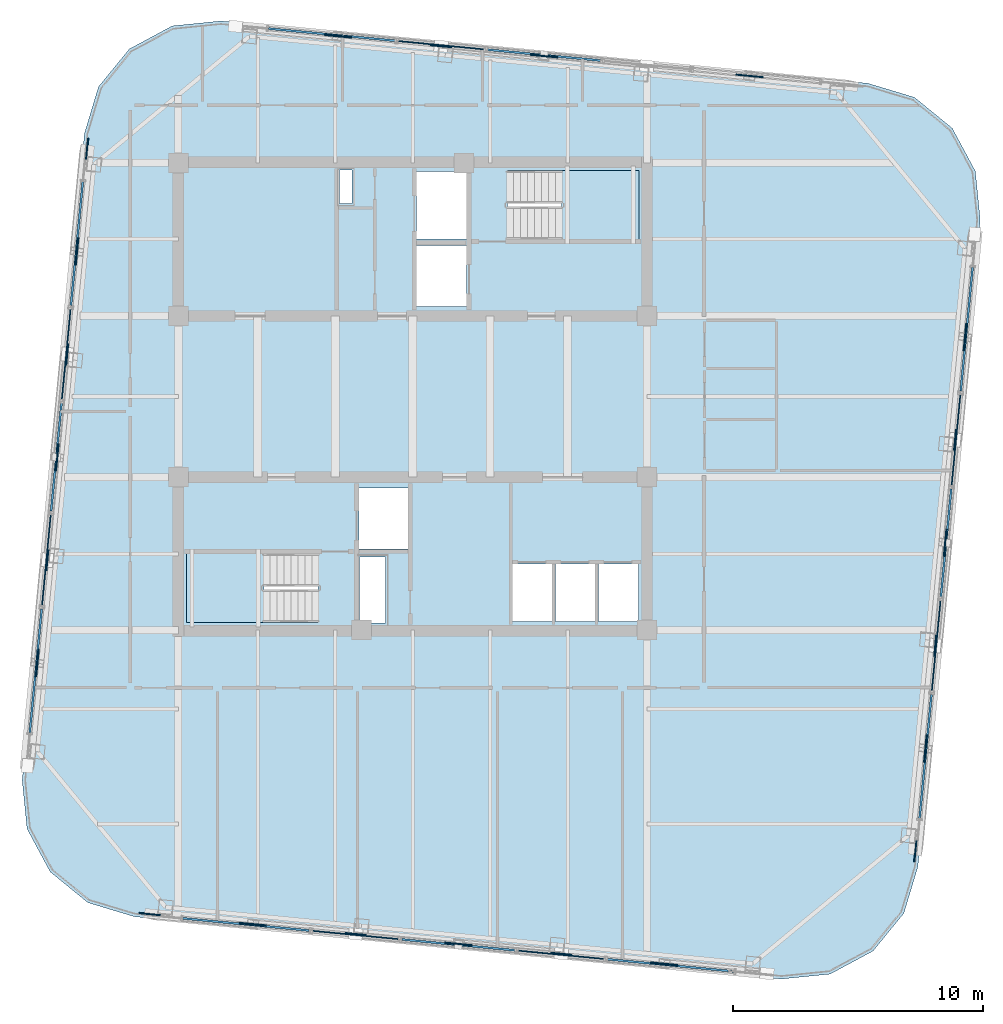
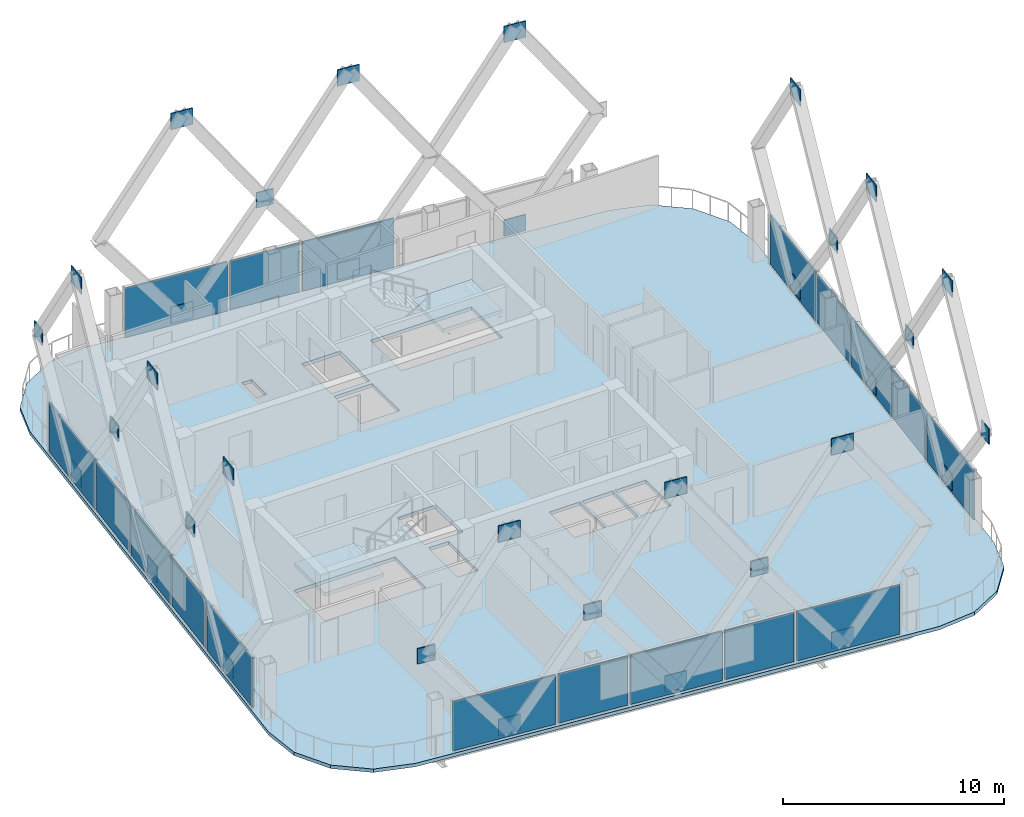
# One storey, part 18 of 25: 52 plates, 3 slabs, 20 elements without a shape of their own.
"""IFC4 building model written with IfcOpenShell, lengths in metres."""

from ifc_helpers import new_model, si_unit, direction, frame, origin, origin_2d, place, context, subcontext, project, spatial, polyline, rectangle, outline, extrude, material, layer, layer_set, type_object, element, aggregate, save


model = new_model("IFC4")

# Units and contexts
model_context = context("Model", 3, precision=1e-05, world=origin(), true_north=direction((0.0, 1.0)))
body_context = subcontext(model_context, "Body", "Model", "MODEL_VIEW")
ifc_project = project(units=[si_unit("LENGTHUNIT", "METRE"), si_unit("AREAUNIT", "SQUARE_METRE"), si_unit("VOLUMEUNIT", "CUBIC_METRE"), si_unit("PLANEANGLEUNIT", "RADIAN"), si_unit("MASSUNIT", "GRAM", prefix="KILO")], contexts=[model_context])

# Site, building, storey
site_placement = place(None, origin())
site = spatial("IfcSite", under=ifc_project, at=site_placement, CompositionType="ELEMENT")
building_placement = place(site_placement, origin())
building = spatial("IfcBuilding", under=site, at=building_placement, Name="Qhalaya Broadcast Tower", CompositionType="ELEMENT")
storey_placement = place(building_placement, frame((0.0, 0.0, 255.050048828125)))
storey = spatial("IfcBuildingStorey", under=building, at=storey_placement, Name="L75", CompositionType="ELEMENT", Elevation=255.050048828125)

# Plates
ifc_material_1 = material(Name="Structural Steel ASTM A572 Grade 50", Category="steel")
ifc_layer_1 = layer(ifc_material_1, 0.054931640625, Name="Structural Steel ASTM A572 Grade 50")
ifc_layer_set_1 = layer_set([ifc_layer_1], Name="Structural Steel ASTM A572 Grade 50")
plate_type_1 = type_object("IfcPlateType", Name="Exoskeleton Diamond Node Gusset Plate NP-01", PredefinedType="USERDEFINED", material=ifc_layer_set_1)
for number, where, z_axis, x_axis, name in (
    (1, (-6.3984375, -20.505615234375, 0.2099609375), (0.0, 0.0, 1.0), (0.995396198367, -0.09584575252, 0.0), "Exoskeleton Diamond Node B6-S1-BOT"),
    (2, (-6.3984375, -20.505615234375, 10.8798828125), (0.0, 0.0, 1.0), (0.995396198367, -0.09584575252, 0.0), "Exoskeleton Diamond Node B6-S1-TOP"),
):
    element("IfcPlate", number, at=place(storey_placement, frame(where, z_axis=z_axis, x_axis=x_axis)), inside=storey, type_object=plate_type_1, Name=name, ObjectType="GUSSET_PLATE", PredefinedType="USERDEFINED", context=body_context, shape_type="SweptSolid", body=[
        extrude(rectangle(XDim=1.10009765625, YDim=0.054931640625, at=origin_2d()), origin(), (0.0, 0.0, 1.0), 0.89990234375),
    ])
plate_1_placement = place(storey_placement, frame((-10.5126953125, -20.109375, 5.329833984375), z_axis=(0.0, 0.0, 1.0), x_axis=(0.995396198367, -0.09584575252, 0.0)))
element("IfcPlate", 3, at=plate_1_placement, inside=storey, type_object=plate_type_1, Name="Exoskeleton Diamond Node B6-S1-MDL", ObjectType="GUSSET_PLATE", PredefinedType="USERDEFINED", context=body_context, shape_type="SweptSolid", body=[
    extrude(rectangle(XDim=0.85009765625, YDim=0.054931640625, at=origin_2d()), origin(), (0.0, 0.0, 1.0), 0.85009765625),
])
for number, where, z_axis, x_axis, name in (
    (4, (1.830078125, -21.2978515625, 0.2099609375), (0.0, 0.0, 1.0), (0.995396198367, -0.09584575252, 0.0), "Exoskeleton Diamond Node B6-S2-BOT"),
    (5, (1.830078125, -21.2978515625, 10.8798828125), (0.0, 0.0, 1.0), (0.995396198367, -0.09584575252, 0.0), "Exoskeleton Diamond Node B6-S2-TOP"),
):
    element("IfcPlate", number, at=place(storey_placement, frame(where, z_axis=z_axis, x_axis=x_axis)), inside=storey, type_object=plate_type_1, Name=name, ObjectType="GUSSET_PLATE", PredefinedType="USERDEFINED", context=body_context, shape_type="SweptSolid", body=[
        extrude(rectangle(XDim=1.10009765625, YDim=0.054931640625, at=origin_2d()), origin(), (0.0, 0.0, 1.0), 0.89990234375),
    ])
plate_2_placement = place(storey_placement, frame((-2.2841796875, -20.901611328125, 5.329833984375), z_axis=(0.0, 0.0, 1.0), x_axis=(0.995396198367, -0.09584575252, 0.0)))
element("IfcPlate", 6, at=plate_2_placement, inside=storey, type_object=plate_type_1, Name="Exoskeleton Diamond Node B6-S2-MDL", ObjectType="GUSSET_PLATE", PredefinedType="USERDEFINED", context=body_context, shape_type="SweptSolid", body=[
    extrude(rectangle(XDim=0.85009765625, YDim=0.054931640625, at=origin_2d()), origin(), (0.0, 0.0, 1.0), 0.85009765625),
])
for number, where, z_axis, x_axis, name in (
    (7, (10.05859375, -22.090087890625, 0.2099609375), (0.0, 0.0, 1.0), (0.995396198367, -0.09584575252, 0.0), "Exoskeleton Diamond Node B6-S3-BOT"),
    (8, (10.05859375, -22.090087890625, 10.8798828125), (0.0, 0.0, 1.0), (0.995396198367, -0.09584575252, 0.0), "Exoskeleton Diamond Node B6-S3-TOP"),
):
    element("IfcPlate", number, at=place(storey_placement, frame(where, z_axis=z_axis, x_axis=x_axis)), inside=storey, type_object=plate_type_1, Name=name, ObjectType="GUSSET_PLATE", PredefinedType="USERDEFINED", context=body_context, shape_type="SweptSolid", body=[
        extrude(rectangle(XDim=1.10009765625, YDim=0.054931640625, at=origin_2d()), origin(), (0.0, 0.0, 1.0), 0.89990234375),
    ])
plate_3_placement = place(storey_placement, frame((5.9443359375, -21.694091796875, 5.329833984375), z_axis=(0.0, 0.0, 1.0), x_axis=(0.995396198367, -0.09584575252, 0.0)))
element("IfcPlate", 9, at=plate_3_placement, inside=storey, type_object=plate_type_1, Name="Exoskeleton Diamond Node B6-S3-MDL", ObjectType="GUSSET_PLATE", PredefinedType="USERDEFINED", context=body_context, shape_type="SweptSolid", body=[
    extrude(rectangle(XDim=0.85009765625, YDim=0.054931640625, at=origin_2d()), origin(), (0.0, 0.0, 1.0), 0.85009765625),
])
for number, where, z_axis, x_axis, name in (
    (10, (20.505615234375, -13.478515625, 0.2099609375), (0.0, 0.0, 1.0), (0.09584575252, 0.995396198367, 0.0), "Exoskeleton Diamond Node B6-E1-BOT"),
    (11, (20.505615234375, -13.478515625, 10.8798828125), (0.0, 0.0, 1.0), (0.09584575252, 0.995396198367, 0.0), "Exoskeleton Diamond Node B6-E1-TOP"),
):
    element("IfcPlate", number, at=place(storey_placement, frame(where, z_axis=z_axis, x_axis=x_axis)), inside=storey, type_object=plate_type_1, Name=name, ObjectType="GUSSET_PLATE", PredefinedType="USERDEFINED", context=body_context, shape_type="SweptSolid", body=[
        extrude(rectangle(XDim=1.10009765625, YDim=0.054931640625, at=origin_2d()), origin(), (0.0, 0.0, 1.0), 0.89990234375),
    ])
plate_4_placement = place(storey_placement, frame((20.109375, -17.5927734375, 5.329833984375), z_axis=(0.0, 0.0, 1.0), x_axis=(0.09584575252, 0.995396198367, 0.0)))
element("IfcPlate", 12, at=plate_4_placement, inside=storey, type_object=plate_type_1, Name="Exoskeleton Diamond Node B6-E1-MDL", ObjectType="GUSSET_PLATE", PredefinedType="USERDEFINED", context=body_context, shape_type="SweptSolid", body=[
    extrude(rectangle(XDim=0.85009765625, YDim=0.054931640625, at=origin_2d()), origin(), (0.0, 0.0, 1.0), 0.85009765625),
])
for number, where, z_axis, x_axis, name in (
    (13, (21.2978515625, -5.25, 0.2099609375), (0.0, 0.0, 1.0), (0.09584575252, 0.995396198367, 0.0), "Exoskeleton Diamond Node B6-E2-BOT"),
    (14, (21.2978515625, -5.25, 10.8798828125), (0.0, 0.0, 1.0), (0.09584575252, 0.995396198367, 0.0), "Exoskeleton Diamond Node B6-E2-TOP"),
):
    element("IfcPlate", number, at=place(storey_placement, frame(where, z_axis=z_axis, x_axis=x_axis)), inside=storey, type_object=plate_type_1, Name=name, ObjectType="GUSSET_PLATE", PredefinedType="USERDEFINED", context=body_context, shape_type="SweptSolid", body=[
        extrude(rectangle(XDim=1.10009765625, YDim=0.054931640625, at=origin_2d()), origin(), (0.0, 0.0, 1.0), 0.89990234375),
    ])
plate_5_placement = place(storey_placement, frame((20.901611328125, -9.3642578125, 5.329833984375), z_axis=(0.0, 0.0, 1.0), x_axis=(0.09584575252, 0.995396198367, 0.0)))
element("IfcPlate", 15, at=plate_5_placement, inside=storey, type_object=plate_type_1, Name="Exoskeleton Diamond Node B6-E2-MDL", ObjectType="GUSSET_PLATE", PredefinedType="USERDEFINED", context=body_context, shape_type="SweptSolid", body=[
    extrude(rectangle(XDim=0.85009765625, YDim=0.054931640625, at=origin_2d()), origin(), (0.0, 0.0, 1.0), 0.85009765625),
])
for number, where, z_axis, x_axis, name in (
    (16, (22.090087890625, 2.978759765625, 0.2099609375), (0.0, 0.0, 1.0), (0.09584575252, 0.995396198367, 0.0), "Exoskeleton Diamond Node B6-E3-BOT"),
    (17, (22.090087890625, 2.978759765625, 10.8798828125), (0.0, 0.0, 1.0), (0.09584575252, 0.995396198367, 0.0), "Exoskeleton Diamond Node B6-E3-TOP"),
):
    element("IfcPlate", number, at=place(storey_placement, frame(where, z_axis=z_axis, x_axis=x_axis)), inside=storey, type_object=plate_type_1, Name=name, ObjectType="GUSSET_PLATE", PredefinedType="USERDEFINED", context=body_context, shape_type="SweptSolid", body=[
        extrude(rectangle(XDim=1.10009765625, YDim=0.054931640625, at=origin_2d()), origin(), (0.0, 0.0, 1.0), 0.89990234375),
    ])
plate_6_placement = place(storey_placement, frame((21.694091796875, -1.135498046875, 5.329833984375), z_axis=(0.0, 0.0, 1.0), x_axis=(0.09584575252, 0.995396198367, 0.0)))
element("IfcPlate", 18, at=plate_6_placement, inside=storey, type_object=plate_type_1, Name="Exoskeleton Diamond Node B6-E3-MDL", ObjectType="GUSSET_PLATE", PredefinedType="USERDEFINED", context=body_context, shape_type="SweptSolid", body=[
    extrude(rectangle(XDim=0.85009765625, YDim=0.054931640625, at=origin_2d()), origin(), (0.0, 0.0, 1.0), 0.85009765625),
])
for number, where, z_axis, x_axis, name in (
    (19, (13.478515625, 13.425537109375, 0.2099609375), (0.0, 0.0, 1.0), (0.995396198367, -0.09584575252, 0.0), "Exoskeleton Diamond Node B6-N1-BOT"),
    (20, (13.478515625, 13.425537109375, 10.8798828125), (0.0, 0.0, 1.0), (0.995396198367, -0.09584575252, 0.0), "Exoskeleton Diamond Node B6-N1-TOP"),
    (21, (5.25, 14.218017578125, 0.2099609375), (0.0, 0.0, 1.0), (0.995396198367, -0.09584575252, 0.0), "Exoskeleton Diamond Node B6-N2-BOT"),
    (22, (5.25, 14.218017578125, 10.8798828125), (0.0, 0.0, 1.0), (0.995396198367, -0.09584575252, 0.0), "Exoskeleton Diamond Node B6-N2-TOP"),
    (23, (-2.978759765625, 15.01025390625, 0.2099609375), (0.0, 0.0, 1.0), (0.995396198367, -0.09584575252, 0.0), "Exoskeleton Diamond Node B6-N3-BOT"),
    (24, (-2.978759765625, 15.01025390625, 10.8798828125), (0.0, 0.0, 1.0), (0.995396198367, -0.09584575252, 0.0), "Exoskeleton Diamond Node B6-N3-TOP"),
):
    element("IfcPlate", number, at=place(storey_placement, frame(where, z_axis=z_axis, x_axis=x_axis)), inside=storey, type_object=plate_type_1, Name=name, ObjectType="GUSSET_PLATE", PredefinedType="USERDEFINED", context=body_context, shape_type="SweptSolid", body=[
        extrude(rectangle(XDim=1.10009765625, YDim=0.054931640625, at=origin_2d()), origin(), (0.0, 0.0, 1.0), 0.89990234375),
    ])
plate_7_placement = place(storey_placement, frame((1.135498046875, 14.614013671875, 5.329833984375), z_axis=(0.0, 0.0, 1.0), x_axis=(0.995396198367, -0.09584575252, 0.0)))
element("IfcPlate", 25, at=plate_7_placement, inside=storey, type_object=plate_type_1, Name="Exoskeleton Diamond Node B6-N3-MDL", ObjectType="GUSSET_PLATE", PredefinedType="USERDEFINED", context=body_context, shape_type="SweptSolid", body=[
    extrude(rectangle(XDim=0.85009765625, YDim=0.054931640625, at=origin_2d()), origin(), (0.0, 0.0, 1.0), 0.85009765625),
])
for number, where, z_axis, x_axis, name in (
    (26, (-13.425537109375, 6.3984375, 0.2099609375), (0.0, 0.0, 1.0), (0.09584575252, 0.995396198367, 0.0), "Exoskeleton Diamond Node B6-W1-BOT"),
    (27, (-13.425537109375, 6.3984375, 10.8798828125), (0.0, 0.0, 1.0), (0.09584575252, 0.995396198367, 0.0), "Exoskeleton Diamond Node B6-W1-TOP"),
):
    element("IfcPlate", number, at=place(storey_placement, frame(where, z_axis=z_axis, x_axis=x_axis)), inside=storey, type_object=plate_type_1, Name=name, ObjectType="GUSSET_PLATE", PredefinedType="USERDEFINED", context=body_context, shape_type="SweptSolid", body=[
        extrude(rectangle(XDim=1.10009765625, YDim=0.054931640625, at=origin_2d()), origin(), (0.0, 0.0, 1.0), 0.89990234375),
    ])
plate_8_placement = place(storey_placement, frame((-13.029296875, 10.5126953125, 5.329833984375), z_axis=(0.0, 0.0, 1.0), x_axis=(0.09584575252, 0.995396198367, 0.0)))
element("IfcPlate", 28, at=plate_8_placement, inside=storey, type_object=plate_type_1, Name="Exoskeleton Diamond Node B6-W1-MDL", ObjectType="GUSSET_PLATE", PredefinedType="USERDEFINED", context=body_context, shape_type="SweptSolid", body=[
    extrude(rectangle(XDim=0.85009765625, YDim=0.054931640625, at=origin_2d()), origin(), (0.0, 0.0, 1.0), 0.85009765625),
])
for number, where, z_axis, x_axis, name in (
    (29, (-14.218017578125, -1.830078125, 0.2099609375), (0.0, 0.0, 1.0), (0.09584575252, 0.995396198367, 0.0), "Exoskeleton Diamond Node B6-W2-BOT"),
    (30, (-14.218017578125, -1.830078125, 10.8798828125), (0.0, 0.0, 1.0), (0.09584575252, 0.995396198367, 0.0), "Exoskeleton Diamond Node B6-W2-TOP"),
):
    element("IfcPlate", number, at=place(storey_placement, frame(where, z_axis=z_axis, x_axis=x_axis)), inside=storey, type_object=plate_type_1, Name=name, ObjectType="GUSSET_PLATE", PredefinedType="USERDEFINED", context=body_context, shape_type="SweptSolid", body=[
        extrude(rectangle(XDim=1.10009765625, YDim=0.054931640625, at=origin_2d()), origin(), (0.0, 0.0, 1.0), 0.89990234375),
    ])
plate_9_placement = place(storey_placement, frame((-13.82177734375, 2.2841796875, 5.329833984375), z_axis=(0.0, 0.0, 1.0), x_axis=(0.09584575252, 0.995396198367, 0.0)))
element("IfcPlate", 31, at=plate_9_placement, inside=storey, type_object=plate_type_1, Name="Exoskeleton Diamond Node B6-W2-MDL", ObjectType="GUSSET_PLATE", PredefinedType="USERDEFINED", context=body_context, shape_type="SweptSolid", body=[
    extrude(rectangle(XDim=0.85009765625, YDim=0.054931640625, at=origin_2d()), origin(), (0.0, 0.0, 1.0), 0.85009765625),
])
for number, where, z_axis, x_axis, name in (
    (32, (-15.01025390625, -10.05859375, 0.2099609375), (0.0, 0.0, 1.0), (0.09584575252, 0.995396198367, 0.0), "Exoskeleton Diamond Node B6-W3-BOT"),
    (33, (-15.01025390625, -10.05859375, 10.8798828125), (0.0, 0.0, 1.0), (0.09584575252, 0.995396198367, 0.0), "Exoskeleton Diamond Node B6-W3-TOP"),
):
    element("IfcPlate", number, at=place(storey_placement, frame(where, z_axis=z_axis, x_axis=x_axis)), inside=storey, type_object=plate_type_1, Name=name, ObjectType="GUSSET_PLATE", PredefinedType="USERDEFINED", context=body_context, shape_type="SweptSolid", body=[
        extrude(rectangle(XDim=1.10009765625, YDim=0.054931640625, at=origin_2d()), origin(), (0.0, 0.0, 1.0), 0.89990234375),
    ])
plate_10_placement = place(storey_placement, frame((-14.614013671875, -5.9443359375, 5.329833984375), z_axis=(0.0, 0.0, 1.0), x_axis=(0.09584575252, 0.995396198367, 0.0)))
element("IfcPlate", 34, at=plate_10_placement, inside=storey, type_object=plate_type_1, Name="Exoskeleton Diamond Node B6-W3-MDL", ObjectType="GUSSET_PLATE", PredefinedType="USERDEFINED", context=body_context, shape_type="SweptSolid", body=[
    extrude(rectangle(XDim=0.85009765625, YDim=0.054931640625, at=origin_2d()), origin(), (0.0, 0.0, 1.0), 0.85009765625),
])

# Curtain wall, plate
ifc_material_2 = material(Name="Fired Architectural Terracotta", Category="masonry")
ifc_layer_2 = layer(ifc_material_2, 0.219970703125, Name="Fired Architectural Terracotta")
ifc_layer_set_2 = layer_set([ifc_layer_2], Name="Fired Architectural Terracotta")
curtain_wall_type_1 = type_object("IfcCurtainWallType", Name="Block-Cap Unitised Terracotta Spandrel Wall CW-07", PredefinedType="NOTDEFINED", material=ifc_layer_set_2)
curtain_wall_1_placement = place(storey_placement, origin())
curtain_wall_1 = element("IfcCurtainWall", 35, at=curtain_wall_1_placement, inside=storey, type_object=curtain_wall_type_1, Name="L75 Unitised Curtain Wall L75-CW-S1", PredefinedType="NOTDEFINED")
ifc_layer_3 = layer(ifc_material_2, 0.080078125, Name="Fired Architectural Terracotta")
ifc_layer_set_3 = layer_set([ifc_layer_3], Name="Fired Architectural Terracotta")
plate_type_2 = type_object("IfcPlateType", Name="Insulated Terracotta Spandrel Panel TSP-07", PredefinedType="CURTAIN_PANEL", material=ifc_layer_set_3)
plate_11_placement = place(storey_placement, frame((-6.67138671875, -20.51953125, 0.074951171875), z_axis=(0.0, 0.0, 1.0), x_axis=(0.995395942778, -0.095848406879, 0.0)))
plate_11 = element("IfcPlate", 36, at=plate_11_placement, type_object=plate_type_2, Name="CW-07 panel 1.1", PredefinedType="CURTAIN_PANEL", context=body_context, shape_type="SweptSolid", body=[
    extrude(rectangle(XDim=5.075927734375, YDim=0.080078125, at=origin_2d()), origin(), (0.0, 0.0, 1.0), 2.7099609375),
])
aggregate(curtain_wall_1, [plate_11])

curtain_wall_2_placement = place(storey_placement, origin())
curtain_wall_2 = element("IfcCurtainWall", 37, at=curtain_wall_2_placement, inside=storey, type_object=curtain_wall_type_1, Name="L75 Unitised Curtain Wall L75-CW-S3", PredefinedType="NOTDEFINED")
plate_12_placement = place(storey_placement, frame((1.826416015625, -21.337646484375, 0.074951171875), z_axis=(0.0, 0.0, 1.0), x_axis=(0.995394786046, -0.095860418903, 0.0)))
plate_12 = element("IfcPlate", 38, at=plate_12_placement, type_object=plate_type_2, Name="CW-07 panel 1.1", PredefinedType="CURTAIN_PANEL", context=body_context, shape_type="SweptSolid", body=[
    extrude(rectangle(XDim=4.535888671875, YDim=0.080078125, at=origin_2d()), origin(), (0.0, 0.0, 1.0), 2.7099609375),
])
aggregate(curtain_wall_2, [plate_12])

curtain_wall_3_placement = place(storey_placement, origin())
curtain_wall_3 = element("IfcCurtainWall", 39, at=curtain_wall_3_placement, inside=storey, type_object=curtain_wall_type_1, Name="L75 Unitised Curtain Wall L75-CW-S5", PredefinedType="NOTDEFINED")
plate_13_placement = place(storey_placement, frame((10.323974609375, -22.156005859375, 0.074951171875), z_axis=(0.0, 0.0, 1.0), x_axis=(0.995395942778, -0.095848406879, 0.0)))
plate_13 = element("IfcPlate", 40, at=plate_13_placement, type_object=plate_type_2, Name="CW-07 panel 1.1", PredefinedType="CURTAIN_PANEL", context=body_context, shape_type="SweptSolid", body=[
    extrude(rectangle(XDim=5.075927734375, YDim=0.080078125, at=origin_2d()), origin(), (0.0, 0.0, 1.0), 2.7099609375),
])
aggregate(curtain_wall_3, [plate_13])

curtain_wall_4_placement = place(storey_placement, origin())
curtain_wall_4 = element("IfcCurtainWall", 41, at=curtain_wall_4_placement, inside=storey, type_object=curtain_wall_type_1, Name="L75 Unitised Curtain Wall L75-CW-E1", PredefinedType="NOTDEFINED")
plate_14_placement = place(storey_placement, frame((20.514892578125, -13.79931640625, 0.074951171875), z_axis=(0.0, 0.0, 1.0), x_axis=(0.095847607498, 0.995396019751, 0.0)))
plate_14 = element("IfcPlate", 42, at=plate_14_placement, type_object=plate_type_2, Name="CW-07 panel 1.1", PredefinedType="CURTAIN_PANEL", context=body_context, shape_type="SweptSolid", body=[
    extrude(rectangle(XDim=4.97998046875, YDim=0.080078125, at=origin_2d()), origin(), (0.0, 0.0, 1.0), 2.7099609375),
])
aggregate(curtain_wall_4, [plate_14])

curtain_wall_5_placement = place(storey_placement, origin())
curtain_wall_5 = element("IfcCurtainWall", 43, at=curtain_wall_5_placement, inside=storey, type_object=curtain_wall_type_1, Name="L75 Unitised Curtain Wall L75-CW-E3", PredefinedType="NOTDEFINED")
plate_15_placement = place(storey_placement, frame((21.337646484375, -5.253662109375, 0.074951171875), z_axis=(0.0, 0.0, 1.0), x_axis=(0.09586123001, 0.995394707933, 0.0)))
plate_15 = element("IfcPlate", 44, at=plate_15_placement, type_object=plate_type_2, Name="CW-07 panel 1.1", PredefinedType="CURTAIN_PANEL", context=body_context, shape_type="SweptSolid", body=[
    extrude(rectangle(XDim=4.343994140625, YDim=0.080078125, at=origin_2d()), origin(), (0.0, 0.0, 1.0), 2.7099609375),
])
aggregate(curtain_wall_5, [plate_15])

curtain_wall_6_placement = place(storey_placement, origin())
curtain_wall_6 = element("IfcCurtainWall", 45, at=curtain_wall_6_placement, inside=storey, type_object=curtain_wall_type_1, Name="L75 Unitised Curtain Wall L75-CW-E5", PredefinedType="NOTDEFINED")
plate_16_placement = place(storey_placement, frame((22.16064453125, 3.291748046875, 0.074951171875), z_axis=(0.0, 0.0, 1.0), x_axis=(0.095847607498, 0.995396019751, 0.0)))
plate_16 = element("IfcPlate", 46, at=plate_16_placement, type_object=plate_type_2, Name="CW-07 panel 1.1", PredefinedType="CURTAIN_PANEL", context=body_context, shape_type="SweptSolid", body=[
    extrude(rectangle(XDim=4.97998046875, YDim=0.080078125, at=origin_2d()), origin(), (0.0, 0.0, 1.0), 2.7099609375),
])
aggregate(curtain_wall_6, [plate_16])

curtain_wall_7_placement = place(storey_placement, origin())
curtain_wall_7 = element("IfcCurtainWall", 47, at=curtain_wall_7_placement, inside=storey, type_object=curtain_wall_type_1, Name="L75 Unitised Curtain Wall L75-CW-N3", PredefinedType="NOTDEFINED")
plate_17_placement = place(storey_placement, frame((5.253662109375, 14.2578125, 0.074951171875), z_axis=(0.0, 0.0, 1.0), x_axis=(-0.995394786046, 0.095860418903, 0.0)))
plate_17 = element("IfcPlate", 48, at=plate_17_placement, type_object=plate_type_2, Name="CW-07 panel 1.1", PredefinedType="CURTAIN_PANEL", context=body_context, shape_type="SweptSolid", body=[
    extrude(rectangle(XDim=4.535888671875, YDim=0.080078125, at=origin_2d()), origin(), (0.0, 0.0, 1.0), 2.7099609375),
])
aggregate(curtain_wall_7, [plate_17])

curtain_wall_8_placement = place(storey_placement, origin())
curtain_wall_8 = element("IfcCurtainWall", 49, at=curtain_wall_8_placement, inside=storey, type_object=curtain_wall_type_1, Name="L75 Unitised Curtain Wall L75-CW-N5", PredefinedType="NOTDEFINED")
plate_18_placement = place(storey_placement, frame((-3.243896484375, 15.075927734375, 0.074951171875), z_axis=(0.0, 0.0, 1.0), x_axis=(-0.995395942778, 0.095848406879, 0.0)))
plate_18 = element("IfcPlate", 50, at=plate_18_placement, type_object=plate_type_2, Name="CW-07 panel 1.1", PredefinedType="CURTAIN_PANEL", context=body_context, shape_type="SweptSolid", body=[
    extrude(rectangle(XDim=5.075927734375, YDim=0.080078125, at=origin_2d()), origin(), (0.0, 0.0, 1.0), 2.7099609375),
])
aggregate(curtain_wall_8, [plate_18])

curtain_wall_9_placement = place(storey_placement, origin())
curtain_wall_9 = element("IfcCurtainWall", 51, at=curtain_wall_9_placement, inside=storey, type_object=curtain_wall_type_1, Name="L75 Unitised Curtain Wall L75-CW-W1", PredefinedType="NOTDEFINED")
plate_19_placement = place(storey_placement, frame((-13.434814453125, 6.71923828125, 0.074951171875), z_axis=(0.0, 0.0, 1.0), x_axis=(-0.095847607498, -0.995396019751, 0.0)))
plate_19 = element("IfcPlate", 52, at=plate_19_placement, type_object=plate_type_2, Name="CW-07 panel 1.1", PredefinedType="CURTAIN_PANEL", context=body_context, shape_type="SweptSolid", body=[
    extrude(rectangle(XDim=4.97998046875, YDim=0.080078125, at=origin_2d()), origin(), (0.0, 0.0, 1.0), 2.7099609375),
])
aggregate(curtain_wall_9, [plate_19])

curtain_wall_10_placement = place(storey_placement, origin())
curtain_wall_10 = element("IfcCurtainWall", 53, at=curtain_wall_10_placement, inside=storey, type_object=curtain_wall_type_1, Name="L75 Unitised Curtain Wall L75-CW-W3", PredefinedType="NOTDEFINED")
plate_20_placement = place(storey_placement, frame((-14.2578125, -1.826171875, 0.074951171875), z_axis=(0.0, 0.0, 1.0), x_axis=(-0.09586123001, -0.995394707933, 0.0)))
plate_20 = element("IfcPlate", 54, at=plate_20_placement, type_object=plate_type_2, Name="CW-07 panel 1.1", PredefinedType="CURTAIN_PANEL", context=body_context, shape_type="SweptSolid", body=[
    extrude(rectangle(XDim=4.343994140625, YDim=0.080078125, at=origin_2d()), origin(), (0.0, 0.0, 1.0), 2.7099609375),
])
aggregate(curtain_wall_10, [plate_20])

curtain_wall_11_placement = place(storey_placement, origin())
curtain_wall_11 = element("IfcCurtainWall", 55, at=curtain_wall_11_placement, inside=storey, type_object=curtain_wall_type_1, Name="L75 Unitised Curtain Wall L75-CW-W5", PredefinedType="NOTDEFINED")
plate_21_placement = place(storey_placement, frame((-15.08056640625, -10.37158203125, 0.074951171875), z_axis=(0.0, 0.0, 1.0), x_axis=(-0.095847607498, -0.995396019751, 0.0)))
plate_21 = element("IfcPlate", 56, at=plate_21_placement, type_object=plate_type_2, Name="CW-07 panel 1.1", PredefinedType="CURTAIN_PANEL", context=body_context, shape_type="SweptSolid", body=[
    extrude(rectangle(XDim=4.97998046875, YDim=0.080078125, at=origin_2d()), origin(), (0.0, 0.0, 1.0), 2.7099609375),
])
aggregate(curtain_wall_11, [plate_21])

ifc_material_3 = material(Name="Solar-Control Low-E Triple Glazing", Category="glass")
ifc_layer_4 = layer(ifc_material_3, 0.219970703125, Name="Solar-Control Low-E Triple Glazing")
ifc_layer_set_4 = layer_set([ifc_layer_4], Name="Solar-Control Low-E Triple Glazing")
curtain_wall_type_2 = type_object("IfcCurtainWallType", Name="High-Altitude Upper-Shaft Triple Low-E Curtain Wall CW-04", PredefinedType="NOTDEFINED", material=ifc_layer_set_4)
curtain_wall_12_placement = place(storey_placement, origin())
curtain_wall_12 = element("IfcCurtainWall", 57, at=curtain_wall_12_placement, inside=storey, type_object=curtain_wall_type_2, Name="L75 Unitised Curtain Wall L75-CW-S2", PredefinedType="NOTDEFINED")
ifc_layer_5 = layer(ifc_material_3, 0.0419921875, Name="Solar-Control Low-E Triple Glazing")
ifc_layer_set_5 = layer_set([ifc_layer_5], Name="Solar-Control Low-E Triple Glazing")
plate_type_3 = type_object("IfcPlateType", Name="Solar-Control Curtain Glazing Panel GLP-04", PredefinedType="CURTAIN_PANEL", material=ifc_layer_set_5)
plate_22_placement = place(storey_placement, frame((-2.2880859375, -20.94140625, 0.074951171875), z_axis=(0.0, 0.0, 1.0), x_axis=(0.995397049282, -0.095836915023, 0.0)))
plate_22 = element("IfcPlate", 58, at=plate_22_placement, type_object=plate_type_3, Name="CW-04 panel 1.1", PredefinedType="CURTAIN_PANEL", context=body_context, shape_type="SweptSolid", body=[
    extrude(rectangle(XDim=3.43115234375, YDim=0.0419921875, at=origin_2d()), origin(), (0.0, 0.0, 1.0), 2.7099609375),
])
aggregate(curtain_wall_12, [plate_22])

curtain_wall_13_placement = place(storey_placement, origin())
curtain_wall_13 = element("IfcCurtainWall", 59, at=curtain_wall_13_placement, inside=storey, type_object=curtain_wall_type_2, Name="L75 Unitised Curtain Wall L75-CW-S4", PredefinedType="NOTDEFINED")
plate_23_placement = place(storey_placement, frame((5.940673828125, -21.73388671875, 0.074951171875), z_axis=(0.0, 0.0, 1.0), x_axis=(0.995396792791, -0.095839578992, 0.0)))
plate_23 = element("IfcPlate", 60, at=plate_23_placement, type_object=plate_type_3, Name="CW-04 panel 1.1", PredefinedType="CURTAIN_PANEL", context=body_context, shape_type="SweptSolid", body=[
    extrude(rectangle(XDim=3.430908203125, YDim=0.0419921875, at=origin_2d()), origin(), (0.0, 0.0, 1.0), 2.7099609375),
])
aggregate(curtain_wall_13, [plate_23])

curtain_wall_14_placement = place(storey_placement, origin())
curtain_wall_14 = element("IfcCurtainWall", 61, at=curtain_wall_14_placement, inside=storey, type_object=curtain_wall_type_2, Name="L75 Unitised Curtain Wall L75-CW-E2", PredefinedType="NOTDEFINED")
plate_24_placement = place(storey_placement, frame((20.94140625, -9.3681640625, 0.074951171875), z_axis=(0.0, 0.0, 1.0), x_axis=(0.095839673292, 0.995396783712, 0.0)))
plate_24 = element("IfcPlate", 62, at=plate_24_placement, type_object=plate_type_3, Name="CW-04 panel 1.1", PredefinedType="CURTAIN_PANEL", context=body_context, shape_type="SweptSolid", body=[
    extrude(rectangle(XDim=3.623046875, YDim=0.0419921875, at=origin_2d()), origin(), (0.0, 0.0, 1.0), 2.7099609375),
])
aggregate(curtain_wall_14, [plate_24])

curtain_wall_15_placement = place(storey_placement, origin())
curtain_wall_15 = element("IfcCurtainWall", 63, at=curtain_wall_15_placement, inside=storey, type_object=curtain_wall_type_2, Name="L75 Unitised Curtain Wall L75-CW-E4", PredefinedType="NOTDEFINED")
plate_25_placement = place(storey_placement, frame((21.73388671875, -1.139404296875, 0.074951171875), z_axis=(0.0, 0.0, 1.0), x_axis=(0.095839673292, 0.995396783712, 0.0)))
plate_25 = element("IfcPlate", 64, at=plate_25_placement, type_object=plate_type_3, Name="CW-04 panel 1.1", PredefinedType="CURTAIN_PANEL", context=body_context, shape_type="SweptSolid", body=[
    extrude(rectangle(XDim=3.623046875, YDim=0.0419921875, at=origin_2d()), origin(), (0.0, 0.0, 1.0), 2.7099609375),
])
aggregate(curtain_wall_15, [plate_25])

curtain_wall_16_placement = place(storey_placement, origin())
curtain_wall_16 = element("IfcCurtainWall", 65, at=curtain_wall_16_placement, inside=storey, type_object=curtain_wall_type_2, Name="L75 Unitised Curtain Wall L75-CW-N4", PredefinedType="NOTDEFINED")
plate_26_placement = place(storey_placement, frame((1.13916015625, 14.65380859375, 0.074951171875), z_axis=(0.0, 0.0, 1.0), x_axis=(-0.995396792791, 0.095839578992, 0.0)))
plate_26 = element("IfcPlate", 66, at=plate_26_placement, type_object=plate_type_3, Name="CW-04 panel 1.1", PredefinedType="CURTAIN_PANEL", context=body_context, shape_type="SweptSolid", body=[
    extrude(rectangle(XDim=3.430908203125, YDim=0.0419921875, at=origin_2d()), origin(), (0.0, 0.0, 1.0), 2.7099609375),
])
aggregate(curtain_wall_16, [plate_26])

curtain_wall_17_placement = place(storey_placement, origin())
curtain_wall_17 = element("IfcCurtainWall", 67, at=curtain_wall_17_placement, inside=storey, type_object=curtain_wall_type_2, Name="L75 Unitised Curtain Wall L75-CW-W2", PredefinedType="NOTDEFINED")
plate_27_placement = place(storey_placement, frame((-13.861572265625, 2.2880859375, 0.074951171875), z_axis=(0.0, 0.0, 1.0), x_axis=(-0.095839673292, -0.995396783712, 0.0)))
plate_27 = element("IfcPlate", 68, at=plate_27_placement, type_object=plate_type_3, Name="CW-04 panel 1.1", PredefinedType="CURTAIN_PANEL", context=body_context, shape_type="SweptSolid", body=[
    extrude(rectangle(XDim=3.623046875, YDim=0.0419921875, at=origin_2d()), origin(), (0.0, 0.0, 1.0), 2.7099609375),
])
aggregate(curtain_wall_17, [plate_27])

curtain_wall_18_placement = place(storey_placement, origin())
curtain_wall_18 = element("IfcCurtainWall", 69, at=curtain_wall_18_placement, inside=storey, type_object=curtain_wall_type_2, Name="L75 Unitised Curtain Wall L75-CW-W4", PredefinedType="NOTDEFINED")
plate_28_placement = place(storey_placement, frame((-14.65380859375, -5.940673828125, 0.074951171875), z_axis=(0.0, 0.0, 1.0), x_axis=(-0.095839673292, -0.995396783712, 0.0)))
plate_28 = element("IfcPlate", 70, at=plate_28_placement, type_object=plate_type_3, Name="CW-04 panel 1.1", PredefinedType="CURTAIN_PANEL", context=body_context, shape_type="SweptSolid", body=[
    extrude(rectangle(XDim=3.623046875, YDim=0.0419921875, at=origin_2d()), origin(), (0.0, 0.0, 1.0), 2.7099609375),
])
aggregate(curtain_wall_18, [plate_28])

# Stair, slab
ifc_material_4 = material(Name="Concrete C40/50", Category="concrete")
stair_type = type_object("IfcStairType", Name="Protected Dogleg Core Stair 3150", PredefinedType="TWO_STRAIGHT_RUN_STAIR", material=ifc_material_4)
stair_1_placement = place(storey_placement, origin())
stair_1 = element("IfcStair", 71, at=stair_1_placement, inside=storey, type_object=stair_type, Name="L75 North Core Exit Stair ST-1", PredefinedType="TWO_STRAIGHT_RUN_STAIR")
ifc_layer_6 = layer(ifc_material_4, 0.199951171875, Name="Concrete C40/50")
ifc_layer_set_6 = layer_set([ifc_layer_6], Name="Concrete C40/50")
slab_type_1 = type_object("IfcSlabType", Name="Stair & Ramp Half-Landing Slab 200", PredefinedType="LANDING", material=ifc_layer_set_6)
slab_1_placement = place(storey_placement, frame((0.0, 0.0, 1.324951171875)))
slab_1 = element("IfcSlab", 72, at=slab_1_placement, type_object=slab_type_1, Name="ST-1 landing 1", PredefinedType="LANDING", context=body_context, shape_type="SweptSolid", body=[
    extrude(outline(polyline([(5.955078125, 6.8798828125), (9.050048828125, 6.8798828125), (9.050048828125, 9.639892578125), (5.955078125, 9.639892578125), (5.955078125, 6.8798828125)])), origin(), (0.0, 0.0, 1.0), 0.199951171875),
])
aggregate(stair_1, [slab_1])

stair_2_placement = place(storey_placement, origin())
stair_2 = element("IfcStair", 73, at=stair_2_placement, inside=storey, type_object=stair_type, Name="L75 South Core Exit Stair ST-2", PredefinedType="TWO_STRAIGHT_RUN_STAIR")
slab_2_placement = place(storey_placement, frame((0.0, 0.0, 1.324951171875)))
slab_2 = element("IfcSlab", 74, at=slab_2_placement, type_object=slab_type_1, Name="ST-2 landing 1", PredefinedType="LANDING", context=body_context, shape_type="SweptSolid", body=[
    extrude(outline(polyline([(-5.955078125, -5.679931640625), (-9.050048828125, -5.679931640625), (-9.050048828125, -8.43994140625), (-5.955078125, -8.43994140625), (-5.955078125, -5.679931640625)])), origin(), (0.0, 0.0, 1.0), 0.199951171875),
])
aggregate(stair_2, [slab_2])

# Slab
ifc_layer_7 = layer(ifc_material_4, 0.18994140625, Name="Concrete C40/50")
ifc_layer_set_7 = layer_set([ifc_layer_7], Name="Concrete C40/50")
slab_type_2 = type_object("IfcSlabType", Name="Upper Tower Composite Floor Slab 190", PredefinedType="FLOOR", material=ifc_layer_set_7)
slab_3_placement = place(storey_placement, frame((0.0, 0.0, -0.18994140625)))
element("IfcSlab", 75, at=slab_3_placement, inside=storey, type_object=slab_type_2, Name="L75 Main Structural Floor Slab", PredefinedType="FLOOR", context=body_context, shape_type="SweptSolid", body=[
    extrude(outline(polyline([(14.7548828125, -22.703125), (16.696044921875, -22.5078125), (18.41455078125, -21.584228515625), (19.64892578125, -20.073486328125), (20.211181640625, -18.205322265625), (22.703125, 7.6748046875), (22.5078125, 9.615966796875), (21.584228515625, 11.33447265625), (20.073486328125, 12.56884765625), (18.205322265625, 13.131103515625), (-7.6748046875, 15.623046875), (-9.615966796875, 15.427734375), (-11.33447265625, 14.50439453125), (-12.56884765625, 12.993408203125), (-13.131103515625, 11.12548828125), (-15.623046875, -14.7548828125), (-15.427734375, -16.696044921875), (-14.50439453125, -18.41455078125), (-12.993408203125, -19.64892578125), (-11.12548828125, -20.211181640625), (14.7548828125, -22.703125)]), holes=[polyline([(3.784912109375, 9.639892578125), (9.050048828125, 9.639892578125), (9.050048828125, 6.8798828125), (3.784912109375, 6.8798828125), (3.784912109375, 9.639892578125)]), polyline([(-3.784912109375, -8.43994140625), (-9.050048828125, -8.43994140625), (-9.050048828125, -5.679931640625), (-3.784912109375, -5.679931640625), (-3.784912109375, -8.43994140625)]), polyline([(0.14990234375, 6.64990234375), (2.14990234375, 6.64990234375), (2.14990234375, 4.199951171875), (0.14990234375, 4.199951171875), (0.14990234375, 6.64990234375)]), polyline([(0.14990234375, 9.60009765625), (2.14990234375, 9.60009765625), (2.14990234375, 6.89990234375), (0.14990234375, 6.89990234375), (0.14990234375, 9.60009765625)]), polyline([(-2.14990234375, -3.050048828125), (-0.14990234375, -3.050048828125), (-0.14990234375, -5.5), (-2.14990234375, -5.5), (-2.14990234375, -3.050048828125)]), polyline([(4.0, -6.10009765625), (5.60009765625, -6.10009765625), (5.60009765625, -8.39990234375), (4.0, -8.39990234375), (4.0, -6.10009765625)]), polyline([(5.719970703125, -6.10009765625), (7.320068359375, -6.10009765625), (7.320068359375, -8.39990234375), (5.719970703125, -8.39990234375), (5.719970703125, -6.10009765625)]), polyline([(7.43994140625, -6.10009765625), (9.0400390625, -6.10009765625), (9.0400390625, -8.39990234375), (7.43994140625, -8.39990234375), (7.43994140625, -6.10009765625)]), polyline([(-2.919921875, 9.659912109375), (-2.419921875, 9.659912109375), (-2.419921875, 8.320068359375), (-2.919921875, 8.320068359375), (-2.919921875, 9.659912109375)]), polyline([(-2.1201171875, -5.820068359375), (-1.080078125, -5.820068359375), (-1.080078125, -8.4599609375), (-2.1201171875, -8.4599609375), (-2.1201171875, -5.820068359375)])]), origin(), (0.0, 0.0, 1.0), 0.18994140625),
])

save(model, "model.ifc")
